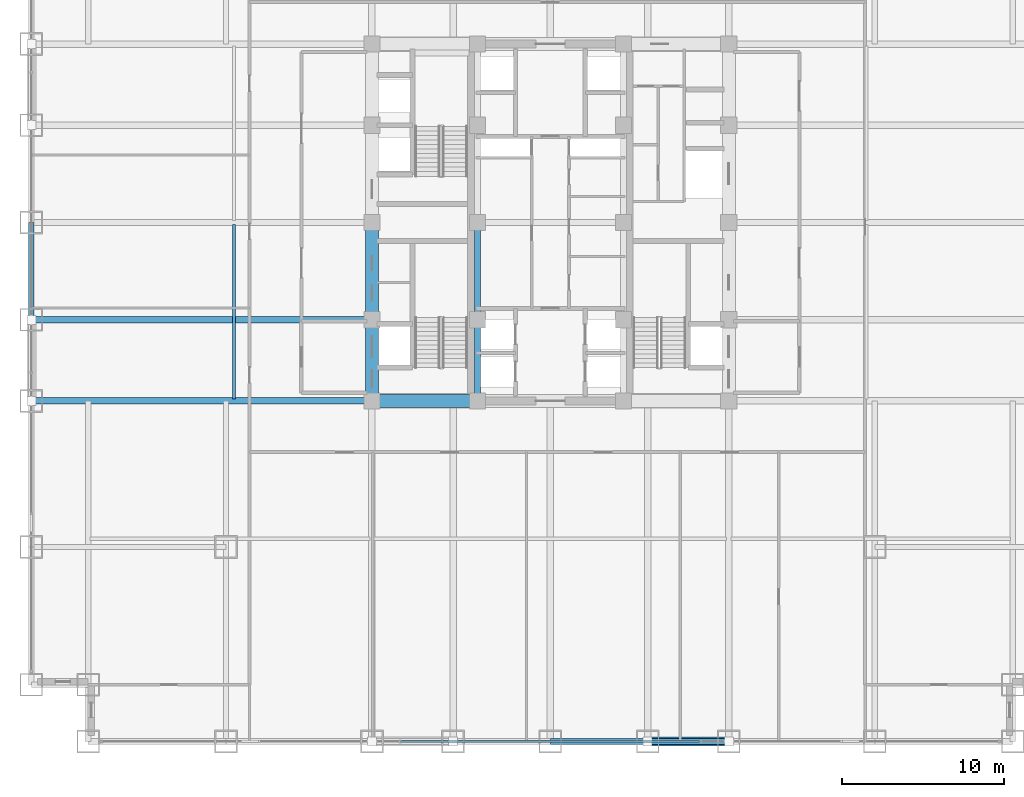
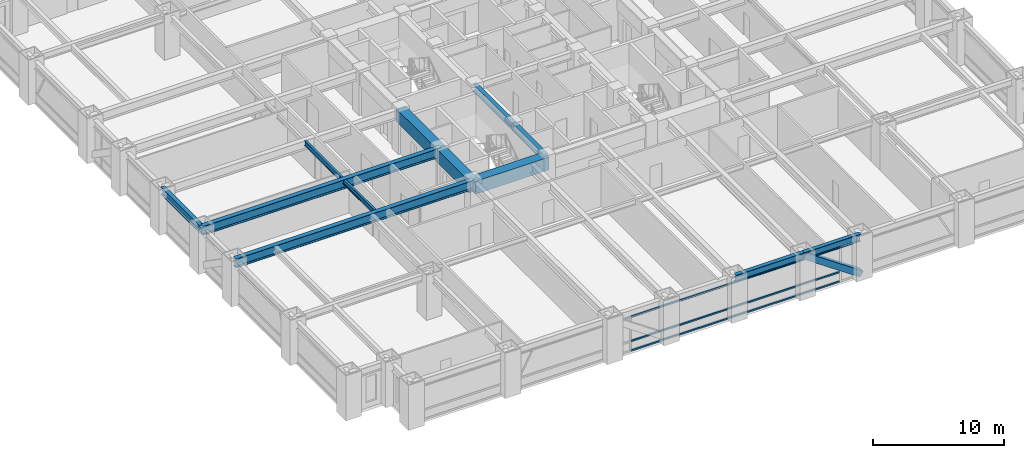
# One storey, part 7 of 27: 11 beams, 4 members, 1 element without a shape of its own.
"""IFC4 building model written with IfcOpenShell, lengths in metres."""

from ifc_helpers import new_model, si_unit, direction, frame, origin, origin_2d, place, context, subcontext, project, spatial, rectangle, hollow_rectangle, i_section, extrude, source, transform, mapped, material, material_profile, profile_set, type_object, element, aggregate, save


model = new_model("IFC4")

# Units and contexts
model_context = context("Model", 3, precision=1e-05, world=origin(), true_north=direction((0.0, 1.0)))
body_context = subcontext(model_context, "Body", "Model", "MODEL_VIEW")
ifc_project = project(units=[si_unit("LENGTHUNIT", "METRE"), si_unit("AREAUNIT", "SQUARE_METRE"), si_unit("VOLUMEUNIT", "CUBIC_METRE"), si_unit("PLANEANGLEUNIT", "RADIAN"), si_unit("MASSUNIT", "GRAM", prefix="KILO")], contexts=[model_context])

# Site, building, storey
site_placement = place(None, origin())
site = spatial("IfcSite", under=ifc_project, at=site_placement, CompositionType="ELEMENT")
building_placement = place(site_placement, origin())
building = spatial("IfcBuilding", under=site, at=building_placement, Name="Khorayat Bourse Tower", CompositionType="ELEMENT")
storey_placement = place(building_placement, frame((0.0, 0.0, 53.60009765625)))
storey = spatial("IfcBuildingStorey", under=building, at=storey_placement, Name="L11", CompositionType="ELEMENT", Elevation=53.60009765625)

# Beams
ifc_material_1 = material(Name="Concrete C72/90", Category="concrete")
ifc_material_profile_1 = material_profile(ifc_material_1, rectangle(XDim=0.800048828125, YDim=1.199951171875, at=origin_2d()), Name="RC 800x1200")
ifc_profile_set_1 = profile_set([ifc_material_profile_1], Name="Concrete C72/90")
beam_type_1 = type_object("IfcBeamType", Name="BM-COUP-1200", PredefinedType="BEAM", material=ifc_profile_set_1)
shared_shape_1 = source(origin(), body_context, "Body", "SweptSolid", [
    extrude(rectangle(XDim=0.800048828125, YDim=1.199951171875, at=origin_2d()), origin(), (0.0, 0.0, 1.0), 5.0),
])
beam_1_placement = place(storey_placement, frame((-11.0, -11.0, 3.33984375), z_axis=(0.0, 1.0, 0.0), x_axis=(-1.0, 0.0, 0.0)))
element("IfcBeam", 1, at=beam_1_placement, inside=storey, type_object=beam_type_1, Name="L11 BM-COUP-1200 BM-L11-CRX-01", PredefinedType="BEAM", context=body_context, shape_type="MappedRepresentation", body=[
    mapped(shared_shape_1, transform((0.0, 0.0, 0.0), scale=1.0)),
])
shared_shape_2 = source(origin(), body_context, "Body", "SweptSolid", [
    extrude(rectangle(XDim=0.800048828125, YDim=1.199951171875, at=origin_2d()), origin(), (0.0, 0.0, 1.0), 6.0),
])
beam_2_placement = place(storey_placement, frame((-11.0, -6.0, 3.33984375), z_axis=(0.0, 1.0, 0.0), x_axis=(-1.0, 0.0, 0.0)))
element("IfcBeam", 2, at=beam_2_placement, inside=storey, type_object=beam_type_1, Name="L11 BM-COUP-1200 BM-L11-CRX-02", PredefinedType="BEAM", context=body_context, shape_type="MappedRepresentation", body=[
    mapped(shared_shape_2, transform((0.0, 0.0, 0.0), scale=1.0)),
])
ifc_material_2 = material(Name="Steel ASTM A992 Grade 50", Category="steel")
ifc_material_profile_2 = material_profile(ifc_material_2, i_section(OverallWidth=0.35498046875, OverallDepth=0.695068359375, WebThickness=0.015380859375, FlangeThickness=0.02490234375, FilletRadius=0.01806640625, at=origin_2d()), Name="W690X217")
ifc_profile_set_2 = profile_set([ifc_material_profile_2], Name="Steel ASTM A992 Grade 50")
beam_type_2 = type_object("IfcBeamType", Name="BM-GIRD-690", PredefinedType="BEAM", material=ifc_profile_set_2)
shared_shape_3 = source(origin(), body_context, "Body", "SweptSolid", [
    extrude(i_section(OverallWidth=0.35498046875, OverallDepth=0.695068359375, WebThickness=0.015380859375, FlangeThickness=0.02490234375, FilletRadius=0.01806640625, at=origin_2d()), origin(), (0.0, 0.0, 1.0), 5.0),
])
beam_3_placement = place(storey_placement, frame((-4.5, -11.0, 3.59228515625), z_axis=(0.0, 1.0, 0.0), x_axis=(-1.0, 0.0, 0.0)))
element("IfcBeam", 3, at=beam_3_placement, inside=storey, type_object=beam_type_2, Name="L11 BM-GIRD-690 BM-L11-CRX-05", PredefinedType="BEAM", context=body_context, shape_type="MappedRepresentation", body=[
    mapped(shared_shape_3, transform((0.0, 0.0, 0.0), scale=1.0)),
])
shared_shape_4 = source(origin(), body_context, "Body", "SweptSolid", [
    extrude(i_section(OverallWidth=0.35498046875, OverallDepth=0.695068359375, WebThickness=0.015380859375, FlangeThickness=0.02490234375, FilletRadius=0.01806640625, at=origin_2d()), origin(), (0.0, 0.0, 1.0), 6.0),
])
beam_4_placement = place(storey_placement, frame((-4.5, -6.0, 3.59228515625), z_axis=(0.0, 1.0, 0.0), x_axis=(-1.0, 0.0, 0.0)))
element("IfcBeam", 4, at=beam_4_placement, inside=storey, type_object=beam_type_2, Name="L11 BM-GIRD-690 BM-L11-CRX-06", PredefinedType="BEAM", context=body_context, shape_type="MappedRepresentation", body=[
    mapped(shared_shape_4, transform((0.0, 0.0, 0.0), scale=1.0)),
])
shared_shape_5 = source(origin(), body_context, "Body", "SweptSolid", [
    extrude(rectangle(XDim=0.800048828125, YDim=1.199951171875, at=origin_2d()), origin(), (0.0, 0.0, 1.0), 6.5),
])
beam_5_placement = place(storey_placement, frame((-11.0, -11.0, 3.33984375), z_axis=(1.0, 0.0, 0.0), x_axis=(0.0, 1.0, 0.0)))
element("IfcBeam", 5, at=beam_5_placement, inside=storey, type_object=beam_type_1, Name="L11 BM-COUP-1200 BM-L11-CRY-17", PredefinedType="BEAM", context=body_context, shape_type="MappedRepresentation", body=[
    mapped(shared_shape_5, transform((0.0, 0.0, 0.0), scale=1.0)),
])
ifc_material_profile_3 = material_profile(ifc_material_2, i_section(OverallWidth=0.35498046875, OverallDepth=0.695068359375, WebThickness=0.015380859375, FlangeThickness=0.02490234375, FilletRadius=0.01806640625, at=origin_2d()), Name="W690X217")
ifc_profile_set_3 = profile_set([ifc_material_profile_3], Name="Steel ASTM A992 Grade 50")
beam_type_3 = type_object("IfcBeamType", Name="BM-SPAN-690", PredefinedType="SPANDREL", material=ifc_profile_set_3)
shared_shape_6 = source(origin(), body_context, "Body", "SweptSolid", [
    extrude(i_section(OverallWidth=0.35498046875, OverallDepth=0.695068359375, WebThickness=0.015380859375, FlangeThickness=0.02490234375, FilletRadius=0.01806640625, at=origin_2d()), origin(), (0.0, 0.0, 1.0), 5.0),
])
beam_6_placement = place(storey_placement, frame((6.0, -32.0, 3.59228515625), z_axis=(1.0, 0.0, 0.0), x_axis=(0.0, 1.0, 0.0)))
element("IfcBeam", 6, at=beam_6_placement, inside=storey, type_object=beam_type_3, Name="L11 BM-SPAN-690 BM-L11-SPN-029", PredefinedType="SPANDREL", context=body_context, shape_type="MappedRepresentation", body=[
    mapped(shared_shape_6, transform((0.0, 0.0, 0.0), scale=1.0)),
])
shared_shape_7 = source(origin(), body_context, "Body", "SweptSolid", [
    extrude(i_section(OverallWidth=0.35498046875, OverallDepth=0.695068359375, WebThickness=0.015380859375, FlangeThickness=0.02490234375, FilletRadius=0.01806640625, at=origin_2d()), origin(), (0.0, 0.0, 1.0), 6.0),
])
for number, where, z_axis, x_axis, name in (
    (7, (0.0, -32.0, 3.59228515625), (1.0, 0.0, 0.0), (0.0, 1.0, 0.0), "L11 BM-SPAN-690 BM-L11-SPN-028"),
    (8, (-32.0, -6.0, 3.59228515625), (0.0, 1.0, 0.0), (-1.0, 0.0, 0.0), "L11 BM-SPAN-690 BM-L11-SPN-058"),
):
    element("IfcBeam", number, at=place(storey_placement, frame(where, z_axis=z_axis, x_axis=x_axis)), inside=storey, type_object=beam_type_3, Name=name, PredefinedType="SPANDREL", context=body_context, shape_type="MappedRepresentation", body=[
        mapped(shared_shape_7, transform((0.0, 0.0, 0.0), scale=1.0)),
    ])
ifc_material_profile_4 = material_profile(ifc_material_2, i_section(OverallWidth=0.39990234375, OverallDepth=0.85498046875, WebThickness=0.018310546875, FlangeThickness=0.029296875, FilletRadius=0.02001953125, at=origin_2d()), Name="W840X299")
ifc_profile_set_4 = profile_set([ifc_material_profile_4], Name="Steel ASTM A992 Grade 50")
beam_type_4 = type_object("IfcBeamType", Name="BM-GIRD-840", PredefinedType="BEAM", material=ifc_profile_set_4)
shared_shape_8 = source(origin(), body_context, "Body", "SweptSolid", [
    extrude(i_section(OverallWidth=0.39990234375, OverallDepth=0.85498046875, WebThickness=0.018310546875, FlangeThickness=0.029296875, FilletRadius=0.02001953125, at=origin_2d()), origin(), (0.0, 0.0, 1.0), 21.0),
])
for number, where, z_axis, x_axis, name in (
    (9, (-32.0, -11.0, 3.512451171875), (1.0, 0.0, 0.0), (0.0, 1.0, 0.0), "L11 BM-GIRD-840 BM-L11-RADX-075"),
    (10, (-32.0, -6.0, 3.512451171875), (1.0, 0.0, 0.0), (0.0, 1.0, 0.0), "L11 BM-GIRD-840 BM-L11-RADX-077"),
):
    element("IfcBeam", number, at=place(storey_placement, frame(where, z_axis=z_axis, x_axis=x_axis)), inside=storey, type_object=beam_type_4, Name=name, PredefinedType="BEAM", context=body_context, shape_type="MappedRepresentation", body=[
        mapped(shared_shape_8, transform((0.0, 0.0, 0.0), scale=1.0)),
    ])
ifc_material_profile_5 = material_profile(ifc_material_2, i_section(OverallWidth=0.194091796875, OverallDepth=0.468994140625, WebThickness=0.0126953125, FlangeThickness=0.0205078125, FilletRadius=0.012939453125, at=origin_2d()), Name="W460X106")
ifc_profile_set_5 = profile_set([ifc_material_profile_5], Name="Steel ASTM A992 Grade 50")
beam_type_5 = type_object("IfcBeamType", Name="BM-JOIST-460", PredefinedType="JOIST", material=ifc_profile_set_5)
shared_shape_9 = source(origin(), body_context, "Body", "SweptSolid", [
    extrude(i_section(OverallWidth=0.194091796875, OverallDepth=0.468994140625, WebThickness=0.0126953125, FlangeThickness=0.0205078125, FilletRadius=0.012939453125, at=origin_2d()), origin(), (0.0, 0.0, 1.0), 10.740234375),
])
beam_7_placement = place(storey_placement, frame((-19.5, -10.8701171875, 3.705322265625), z_axis=(0.0, 1.0, 0.0), x_axis=(-1.0, 0.0, 0.0)))
element("IfcBeam", 11, at=beam_7_placement, inside=storey, type_object=beam_type_5, Name="L11 BM-JOIST-460 BM-L11-JSTY-102", PredefinedType="JOIST", context=body_context, shape_type="MappedRepresentation", body=[
    mapped(shared_shape_9, transform((0.0, 0.0, 0.0), scale=1.0)),
])

# Member
ifc_material_3 = material(Name="Steel EN 10025-4 S460M", Category="steel")
ifc_material_profile_6 = material_profile(ifc_material_3, hollow_rectangle(XDim=0.550048828125, YDim=0.550048828125, WallThickness=0.031982421875, at=origin_2d()), Name="HSS 550x550x32")
ifc_profile_set_6 = profile_set([ifc_material_profile_6], Name="Steel EN 10025-4 S460M")
member_type_1 = type_object("IfcMemberType", Name="MBR-TUBE-550", PredefinedType="BRACE", material=ifc_profile_set_6)
shared_shape_10 = source(origin(), body_context, "Body", "SweptSolid", [
    extrude(hollow_rectangle(XDim=0.550048828125, YDim=0.550048828125, WallThickness=0.031982421875, at=origin_2d()), origin(), (0.0, 0.0, 1.0), 6.069091796875),
])
member_1_placement = place(storey_placement, frame((6.0, -32.0, 3.68994140625), z_axis=(0.823854080622, 0.0, -0.566801952928), x_axis=(0.0, 1.0, 0.0)))
element("IfcMember", 12, at=member_1_placement, inside=storey, type_object=member_type_1, Name="L11 Perimeter Tube Brace 02", PredefinedType="BRACE", context=body_context, shape_type="MappedRepresentation", body=[
    mapped(shared_shape_10, transform((0.0, 0.0, 0.0), scale=1.0)),
])

# Curtain wall, members
ifc_material_4 = material(Name="Aluminium EN AW-6063 T6", Category="aluminium")
curtain_wall_type = type_object("IfcCurtainWallType", Name="CW-SYS-02", PredefinedType="NOTDEFINED", material=ifc_material_4)
curtain_wall_placement = place(storey_placement, origin())
curtain_wall = element("IfcCurtainWall", 13, at=curtain_wall_placement, inside=storey, type_object=curtain_wall_type, Name="L11 Curtain Wall CW-L11-S1", PredefinedType="NOTDEFINED")
ifc_material_profile_7 = material_profile(ifc_material_4, hollow_rectangle(XDim=0.139892578125, YDim=0.139892578125, WallThickness=0.006103515625, at=origin_2d()), Name="ALU 140x140x6")
ifc_profile_set_7 = profile_set([ifc_material_profile_7], Name="Aluminium EN AW-6063 T6")
member_type_2 = type_object("IfcMemberType", Name="CWT-HORZ-140", PredefinedType="USERDEFINED", material=ifc_profile_set_7)
shared_shape_11 = source(origin(), body_context, "Body", "SweptSolid", [
    extrude(hollow_rectangle(XDim=0.139892578125, YDim=0.139892578125, WallThickness=0.006103515625, at=origin_2d()), origin(), (0.0, 0.0, 1.0), 18.35986328125),
])
member_2_placement = place(storey_placement, frame((-9.179931640625, -32.0, 0.06982421875), z_axis=(1.0, 0.0, 0.0), x_axis=(0.0, 1.0, 0.0)))
member_2 = element("IfcMember", 14, at=member_2_placement, type_object=member_type_2, Name="CW-L11-S1 Horizontal Transom 2-1", ObjectType="TRANSOM", PredefinedType="USERDEFINED", context=body_context, shape_type="MappedRepresentation", body=[
    mapped(shared_shape_11, transform((0.0, 0.0, 0.0), scale=1.0)),
])
member_3_placement = place(storey_placement, frame((-9.179931640625, -32.0, 0.949951171875), z_axis=(1.0, 0.0, 0.0), x_axis=(0.0, 1.0, 0.0)))
member_3 = element("IfcMember", 15, at=member_3_placement, type_object=member_type_2, Name="CW-L11-S1 Horizontal Transom 2-2", ObjectType="TRANSOM", PredefinedType="USERDEFINED", context=body_context, shape_type="MappedRepresentation", body=[
    mapped(shared_shape_11, transform((0.0, 0.0, 0.0), scale=1.0)),
])
member_4_placement = place(storey_placement, frame((-9.179931640625, -32.0, 3.219970703125), z_axis=(1.0, 0.0, 0.0), x_axis=(0.0, 1.0, 0.0)))
member_4 = element("IfcMember", 16, at=member_4_placement, type_object=member_type_2, Name="CW-L11-S1 Horizontal Transom 2-3", ObjectType="TRANSOM", PredefinedType="USERDEFINED", context=body_context, shape_type="MappedRepresentation", body=[
    mapped(shared_shape_11, transform((0.0, 0.0, 0.0), scale=1.0)),
])
aggregate(curtain_wall, [member_2, member_3, member_4])

save(model, "model.ifc")
